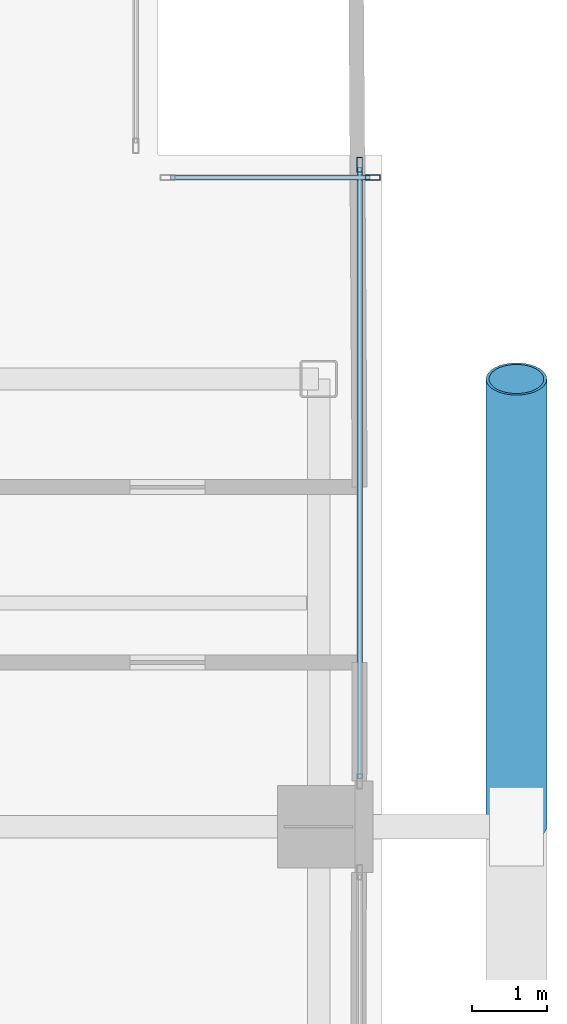
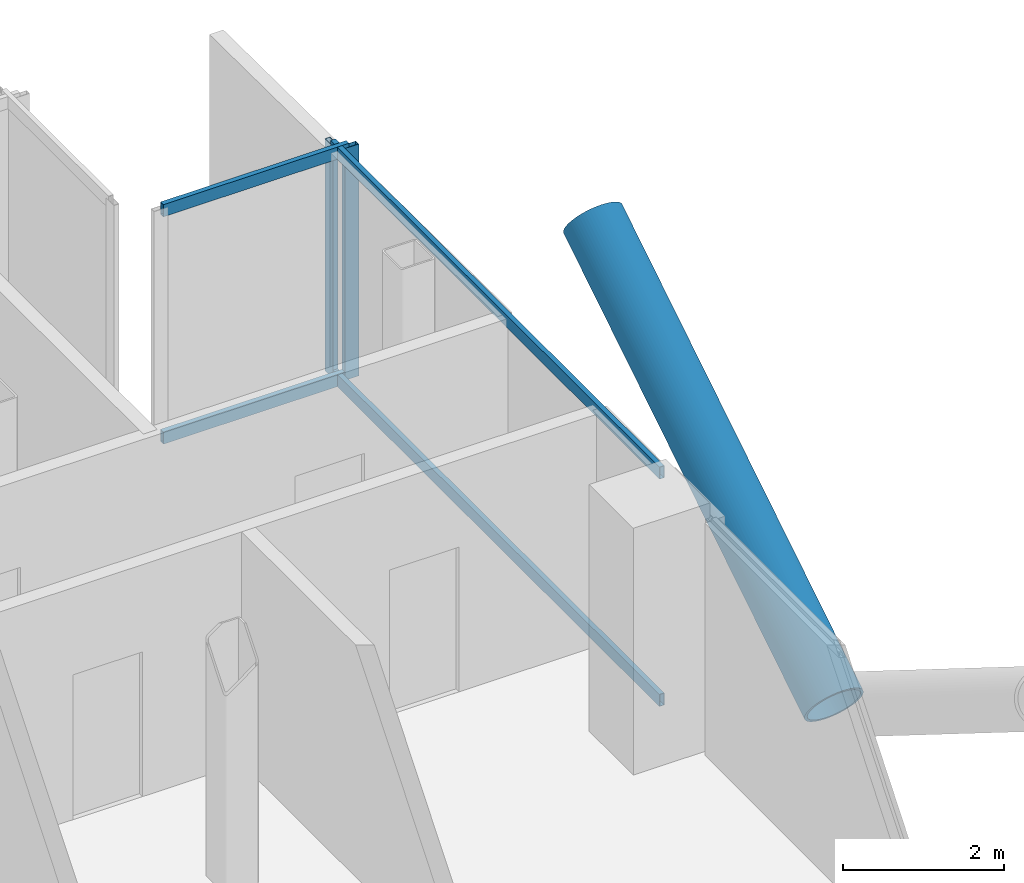
# One storey, part 14 of 28: 7 members, 2 elements without a shape of their own.
"""IFC4 building model written with IfcOpenShell, lengths in metres."""

from ifc_helpers import new_model, si_unit, direction, frame, origin, origin_2d, place, context, subcontext, project, spatial, hollow_rectangle, hollow_circle, extrude, material, layer, layer_set, material_profile, profile_set, type_object, element, aggregate, save


model = new_model("IFC4")

# Units and contexts
model_context = context("Model", 3, precision=1e-05, world=origin(), true_north=direction((0.0, 1.0)))
body_context = subcontext(model_context, "Body", "Model", "MODEL_VIEW")
ifc_project = project(units=[si_unit("LENGTHUNIT", "METRE"), si_unit("AREAUNIT", "SQUARE_METRE"), si_unit("VOLUMEUNIT", "CUBIC_METRE"), si_unit("PLANEANGLEUNIT", "RADIAN"), si_unit("MASSUNIT", "GRAM", prefix="KILO"), si_unit("THERMODYNAMICTEMPERATUREUNIT", "KELVIN"), si_unit("POWERUNIT", "WATT")], contexts=[model_context])

# Site, building, storey
site_placement = place(None, origin())
site = spatial("IfcSite", under=ifc_project, at=site_placement, CompositionType="ELEMENT")
building_placement = place(site_placement, origin())
building = spatial("IfcBuilding", under=site, at=building_placement, Name="Svarakhadi Broadcast Tower", CompositionType="ELEMENT")
storey_placement = place(building_placement, frame((0.0, 0.0, 123.14990234375)))
storey = spatial("IfcBuildingStorey", under=building, at=storey_placement, Name="L29", CompositionType="ELEMENT", Elevation=123.14990234375)

# Curtain wall, member
ifc_material_1 = material(Name="Anodised Bronze Aluminium AA 6063-T6", Category="aluminium")
ifc_layer = layer(ifc_material_1, 0.199951171875)
ifc_layer_set = layer_set([ifc_layer], Name="Anodised Bronze Aluminium AA 6063-T6")
curtain_wall_type = type_object("IfcCurtainWallType", Name="CW_Sys_03", PredefinedType="NOTDEFINED", material=ifc_layer_set)
curtain_wall_1_placement = place(storey_placement, origin())
curtain_wall_1 = element("IfcCurtainWall", 1, at=curtain_wall_1_placement, inside=storey, type_object=curtain_wall_type, Name="L29 Unitised Facade Curtain Wall 12", PredefinedType="NOTDEFINED")
ifc_material_profile_1 = material_profile(ifc_material_1, hollow_rectangle(XDim=0.074951171875, YDim=0.199951171875, WallThickness=0.005615234375, at=origin_2d()), Name="ALU MULLION 200x75x6")
ifc_profile_set_1 = profile_set([ifc_material_profile_1], Name="Anodised Bronze Aluminium AA 6063-T6")
member_type_1 = type_object("IfcMemberType", Name="CW_Sys_03_Mul", PredefinedType="MULLION", material=ifc_profile_set_1)
member_1_placement = place(storey_placement, frame((47.87255859375, 20.699951171875, 0.0), z_axis=(0.0, 0.0, 1.0), x_axis=(0.0, 1.0, 0.0)))
member_1 = element("IfcMember", 2, at=member_1_placement, type_object=member_type_1, Name="CW-03 mullion 2", PredefinedType="MULLION", context=body_context, shape_type="SweptSolid", body=[
    extrude(hollow_rectangle(XDim=0.074951171875, YDim=0.199951171875, WallThickness=0.005615234375, at=origin_2d()), origin(), (0.0, 0.0, 1.0), 3.525146484375),
])

curtain_wall_2_placement = place(storey_placement, origin())
curtain_wall_2 = element("IfcCurtainWall", 3, at=curtain_wall_2_placement, inside=storey, type_object=curtain_wall_type, Name="L29 Unitised Facade Curtain Wall 13 Bay 1", PredefinedType="NOTDEFINED")
member_2_placement = place(storey_placement, frame((47.699951171875, 20.87255859375, 0.0), z_axis=(0.0, 0.0, 1.0), x_axis=(1.0, 0.0, 0.0)))
member_2 = element("IfcMember", 4, at=member_2_placement, type_object=member_type_1, Name="CW-03 mullion 1", PredefinedType="MULLION", context=body_context, shape_type="SweptSolid", body=[
    extrude(hollow_rectangle(XDim=0.074951171875, YDim=0.199951171875, WallThickness=0.005615234375, at=origin_2d()), origin(), (0.0, 0.0, 1.0), 3.525146484375),
])

# Member
ifc_material_profile_2 = material_profile(ifc_material_1, hollow_rectangle(XDim=0.070068359375, YDim=0.18505859375, WallThickness=0.0048828125, at=origin_2d()), Name="ALU TRANSOM 185x70x5")
ifc_profile_set_2 = profile_set([ifc_material_profile_2], Name="Anodised Bronze Aluminium AA 6063-T6")
member_type_2 = type_object("IfcMemberType", Name="CW_Sys_03_Trn", PredefinedType="USERDEFINED", material=ifc_profile_set_2)
member_3_placement = place(storey_placement, frame((45.1650390625, 20.699951171875, 0.03515625), z_axis=(1.0, 0.0, 0.0), x_axis=(0.0, 1.0, 0.0)))
member_3 = element("IfcMember", 5, at=member_3_placement, type_object=member_type_2, Name="CW-03 transom 1.1", ObjectType="TRANSOM", PredefinedType="USERDEFINED", context=body_context, shape_type="SweptSolid", body=[
    extrude(hollow_rectangle(XDim=0.070068359375, YDim=0.18505859375, WallThickness=0.0048828125, at=origin_2d()), origin(), (0.0, 0.0, 1.0), 2.669921875),
])

member_4_placement = place(storey_placement, frame((45.1650390625, 20.699951171875, 3.489990234375), z_axis=(1.0, 0.0, 0.0), x_axis=(0.0, 1.0, 0.0)))
member_4 = element("IfcMember", 6, at=member_4_placement, type_object=member_type_2, Name="CW-03 transom 1.2", ObjectType="TRANSOM", PredefinedType="USERDEFINED", context=body_context, shape_type="SweptSolid", body=[
    extrude(hollow_rectangle(XDim=0.070068359375, YDim=0.18505859375, WallThickness=0.0048828125, at=origin_2d()), origin(), (0.0, 0.0, 1.0), 2.669921875),
])

aggregate(curtain_wall_1, [member_1, member_3, member_4])

member_5_placement = place(storey_placement, frame((47.699951171875, 20.8349609375, 0.03515625), z_axis=(0.0, -1.0, 0.0), x_axis=(1.0, 0.0, 0.0)))
member_5 = element("IfcMember", 7, at=member_5_placement, type_object=member_type_2, Name="CW-03 transom 1.1", ObjectType="TRANSOM", PredefinedType="USERDEFINED", context=body_context, shape_type="SweptSolid", body=[
    extrude(hollow_rectangle(XDim=0.070068359375, YDim=0.18505859375, WallThickness=0.0048828125, at=origin_2d()), origin(), (0.0, 0.0, 1.0), 8.18994140625),
])

member_6_placement = place(storey_placement, frame((47.699951171875, 20.8349609375, 3.489990234375), z_axis=(0.0, -1.0, 0.0), x_axis=(1.0, 0.0, 0.0)))
member_6 = element("IfcMember", 8, at=member_6_placement, type_object=member_type_2, Name="CW-03 transom 1.2", ObjectType="TRANSOM", PredefinedType="USERDEFINED", context=body_context, shape_type="SweptSolid", body=[
    extrude(hollow_rectangle(XDim=0.070068359375, YDim=0.18505859375, WallThickness=0.0048828125, at=origin_2d()), origin(), (0.0, 0.0, 1.0), 8.18994140625),
])

aggregate(curtain_wall_2, [member_2, member_5, member_6])

ifc_material_2 = material(Name="Steel S460ML (IS 2062 E450BR)", Category="steel")
ifc_material_profile_3 = material_profile(ifc_material_2, hollow_circle(Radius=0.406494140625, WallThickness=0.0400390625, at=origin_2d()), Name="CHS 813x40")
ifc_profile_set_3 = profile_set([ifc_material_profile_3], Name="Steel S460ML (IS 2062 E450BR)")
member_type_3 = type_object("IfcMemberType", Name="Exo_Brace_CHS813", PredefinedType="BRACE", material=ifc_profile_set_3)
member_7_placement = place(storey_placement, frame((49.800048828125, 12.0, -0.386962890625), z_axis=(0.0, 0.847998304005, 0.529998940003), x_axis=(-1.0, 0.0, 0.0)))
element("IfcMember", 9, at=member_7_placement, inside=storey, type_object=member_type_3, Name="L29 Exposed Bronze Exoskeleton Diagonal E09", PredefinedType="BRACE", context=body_context, shape_type="SweptSolid", body=[
    extrude(hollow_circle(Radius=0.406494140625, WallThickness=0.0400390625, at=origin_2d()), origin(), (0.0, 0.0, 1.0), 7.075439453125),
])

save(model, "model.ifc")
